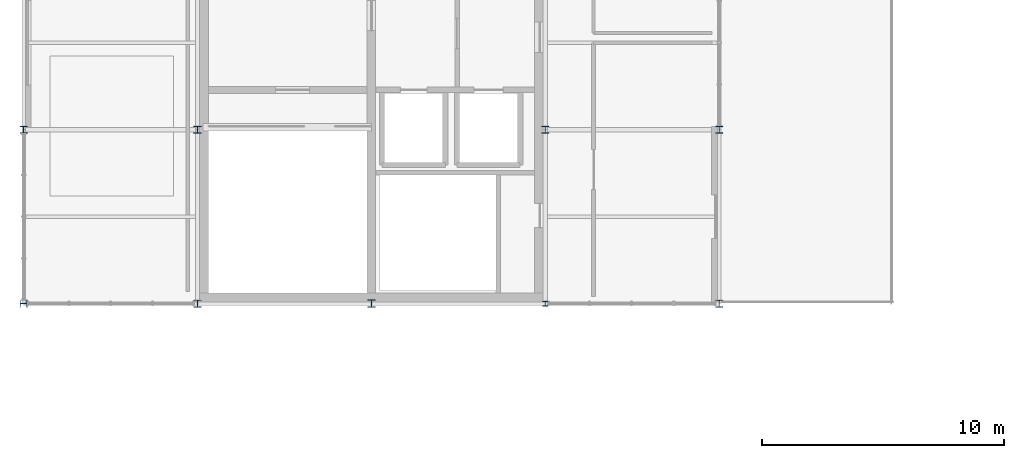
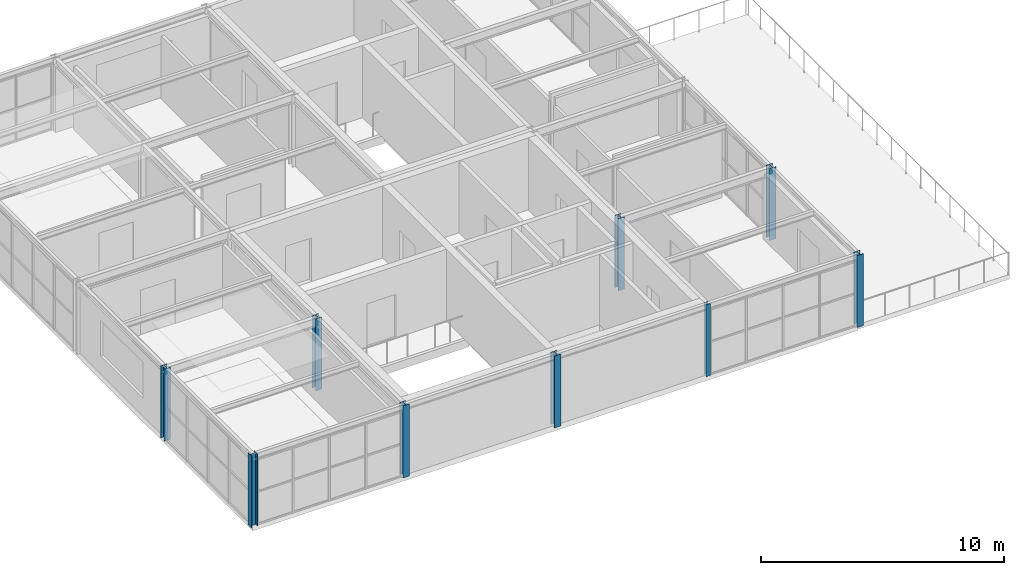
# One storey, part 1 of 12: 9 columns.
"""IFC4 building model written with IfcOpenShell, lengths in metres."""

from ifc_helpers import new_model, si_unit, direction, frame, origin, origin_2d, place, context, subcontext, project, spatial, i_section, extrude, material, material_profile, profile_set, type_object, element, save


model = new_model("IFC4")

# Units and contexts
model_context = context("Model", 3, precision=1e-05, world=origin(), true_north=direction((0.0, 1.0)))
body_context = subcontext(model_context, "Body", "Model", "MODEL_VIEW")
ifc_project = project(units=[si_unit("LENGTHUNIT", "METRE"), si_unit("AREAUNIT", "SQUARE_METRE"), si_unit("VOLUMEUNIT", "CUBIC_METRE"), si_unit("PLANEANGLEUNIT", "RADIAN"), si_unit("MASSUNIT", "GRAM", prefix="KILO")], contexts=[model_context])

# Site, building, storey
site_placement = place(None, origin())
site = spatial("IfcSite", under=ifc_project, at=site_placement, CompositionType="ELEMENT")
building_placement = place(site_placement, origin())
building = spatial("IfcBuilding", under=site, at=building_placement, Name="Leyfeld Transit Interchange", CompositionType="ELEMENT")
storey_placement = place(building_placement, frame((0.0, 0.0, 21.60009765625)))
storey = spatial("IfcBuildingStorey", under=building, at=storey_placement, Name="L05", CompositionType="ELEMENT", Elevation=21.60009765625)

# Columns
ifc_material = material(Name="Steel S355J2", Category="steel")
ifc_material_profile_1 = material_profile(ifc_material, i_section(OverallWidth=0.300048828125, OverallDepth=0.2900390625, WebThickness=0.008544921875, FlangeThickness=0.013916015625, FilletRadius=0.027099609375, at=origin_2d()), Name="HEA 300")
ifc_profile_set_1 = profile_set([ifc_material_profile_1], Name="Steel S355J2")
column_type_1 = type_object("IfcColumnType", Name="COL-CAT-05", PredefinedType="COLUMN", material=ifc_profile_set_1)
column_1_placement = place(storey_placement, frame((28.800048828125, 100.800048828125, 0.0), z_axis=(0.0, 0.0, 1.0), x_axis=(1.0, 0.0, 0.0)))
element("IfcColumn", 1, at=column_1_placement, inside=storey, type_object=column_type_1, Name="Column COL-L05-0288_1008", PredefinedType="COLUMN", context=body_context, shape_type="SweptSolid", body=[
    extrude(i_section(OverallWidth=0.300048828125, OverallDepth=0.2900390625, WebThickness=0.008544921875, FlangeThickness=0.013916015625, FilletRadius=0.027099609375, at=origin_2d()), origin(), (0.0, 0.0, 1.0), 3.619873046875),
])
ifc_material_profile_2 = material_profile(ifc_material, i_section(OverallWidth=0.199951171875, OverallDepth=0.199951171875, WebThickness=0.009033203125, FlangeThickness=0.014892578125, FilletRadius=0.01806640625, at=origin_2d()), Name="HEB 200")
ifc_profile_set_2 = profile_set([ifc_material_profile_2], Name="Steel S355J2")
column_type_2 = type_object("IfcColumnType", Name="COL-CAT-10", PredefinedType="COLUMN", material=ifc_profile_set_2)
column_2_placement = place(storey_placement, frame((21.60009765625, 93.60009765625, 0.0), z_axis=(0.0, 0.0, 1.0), x_axis=(1.0, 0.0, 0.0)))
element("IfcColumn", 2, at=column_2_placement, inside=storey, type_object=column_type_2, Name="Column COL-L05-0216_0936", PredefinedType="COLUMN", context=body_context, shape_type="SweptSolid", body=[
    extrude(i_section(OverallWidth=0.199951171875, OverallDepth=0.199951171875, WebThickness=0.009033203125, FlangeThickness=0.014892578125, FilletRadius=0.01806640625, at=origin_2d()), origin(), (0.0, 0.0, 1.0), 3.619873046875),
])
ifc_material_profile_3 = material_profile(ifc_material, i_section(OverallWidth=0.300048828125, OverallDepth=0.320068359375, WebThickness=0.011474609375, FlangeThickness=0.0205078125, FilletRadius=0.027099609375, at=origin_2d()), Name="HEB 320")
ifc_profile_set_3 = profile_set([ifc_material_profile_3], Name="Steel S355J2")
column_type_3 = type_object("IfcColumnType", Name="COL-CAT-14", PredefinedType="COLUMN", material=ifc_profile_set_3)
column_3_placement = place(storey_placement, frame((14.39990234375, 93.60009765625, 0.0), z_axis=(0.0, 0.0, 1.0), x_axis=(1.0, 0.0, 0.0)))
element("IfcColumn", 3, at=column_3_placement, inside=storey, type_object=column_type_3, Name="Column COL-L05-0144_0936", PredefinedType="COLUMN", context=body_context, shape_type="SweptSolid", body=[
    extrude(i_section(OverallWidth=0.300048828125, OverallDepth=0.320068359375, WebThickness=0.011474609375, FlangeThickness=0.0205078125, FilletRadius=0.027099609375, at=origin_2d()), origin(), (0.0, 0.0, 1.0), 3.619873046875),
])
ifc_material_profile_4 = material_profile(ifc_material, i_section(OverallWidth=0.300048828125, OverallDepth=0.300048828125, WebThickness=0.010986328125, FlangeThickness=0.01904296875, FilletRadius=0.027099609375, at=origin_2d()), Name="HEB 300")
ifc_profile_set_4 = profile_set([ifc_material_profile_4], Name="Steel S355J2")
column_type_4 = type_object("IfcColumnType", Name="COL-STL-HEB300", PredefinedType="COLUMN", material=ifc_profile_set_4)
for number, where, z_axis, x_axis, name in (
    (4, (0.0, 93.60009765625, 0.0), (0.0, 0.0, 1.0), (0.0, 1.0, 0.0), "Column COL-L05-0000_0936"),
    (5, (0.0, 100.800048828125, 0.0), (0.0, 0.0, 1.0), (1.0, 0.0, 0.0), "Column COL-L05-0000_1008"),
    (6, (7.199951171875, 93.60009765625, 0.0), (0.0, 0.0, 1.0), (1.0, 0.0, 0.0), "Column COL-L05-0072_0936"),
    (7, (7.199951171875, 100.800048828125, 0.0), (0.0, 0.0, 1.0), (1.0, 0.0, 0.0), "Column COL-L05-0072_1008"),
    (8, (21.60009765625, 100.800048828125, 0.0), (0.0, 0.0, 1.0), (1.0, 0.0, 0.0), "Column COL-L05-0216_1008"),
    (9, (28.800048828125, 93.60009765625, 0.0), (0.0, 0.0, 1.0), (1.0, 0.0, 0.0), "Column COL-L05-0288_0936"),
):
    element("IfcColumn", number, at=place(storey_placement, frame(where, z_axis=z_axis, x_axis=x_axis)), inside=storey, type_object=column_type_4, Name=name, PredefinedType="COLUMN", context=body_context, shape_type="SweptSolid", body=[
        extrude(i_section(OverallWidth=0.300048828125, OverallDepth=0.300048828125, WebThickness=0.010986328125, FlangeThickness=0.01904296875, FilletRadius=0.027099609375, at=origin_2d()), origin(), (0.0, 0.0, 1.0), 3.619873046875),
    ])

save(model, "model.ifc")
